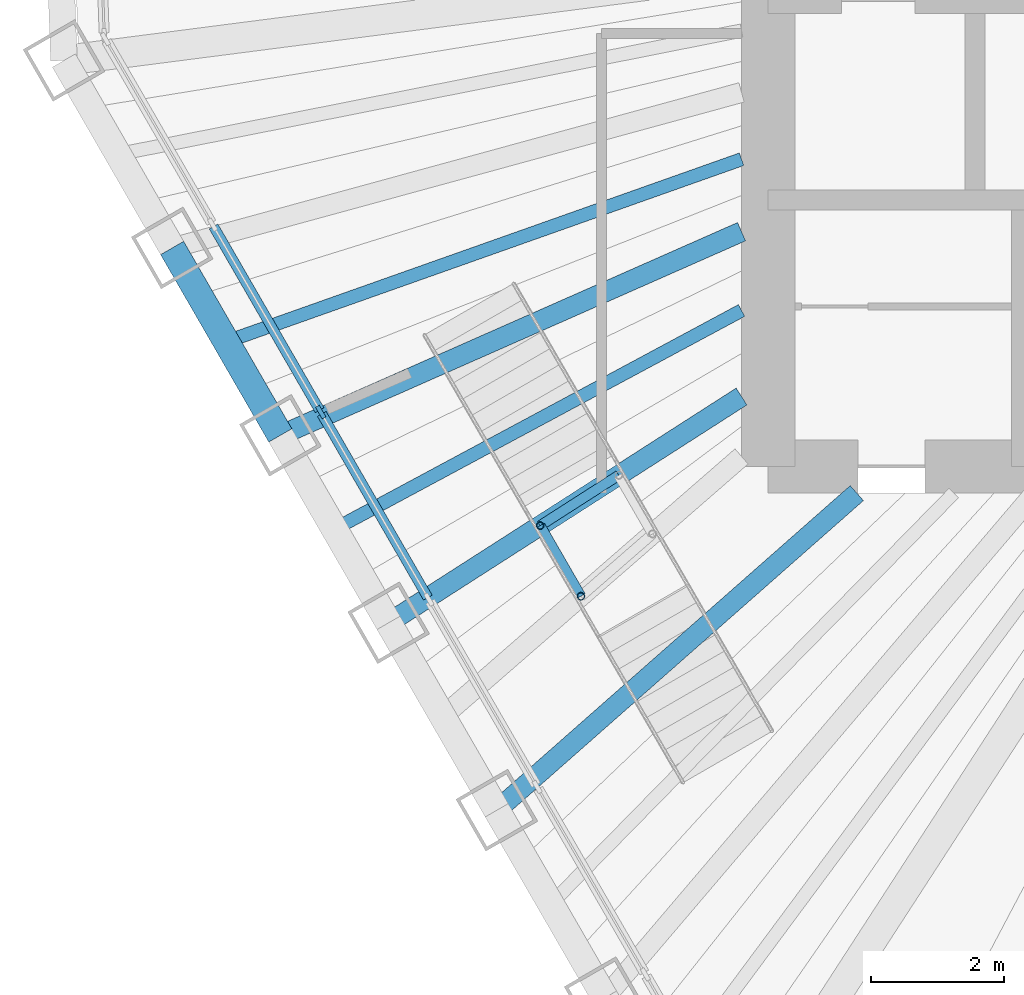
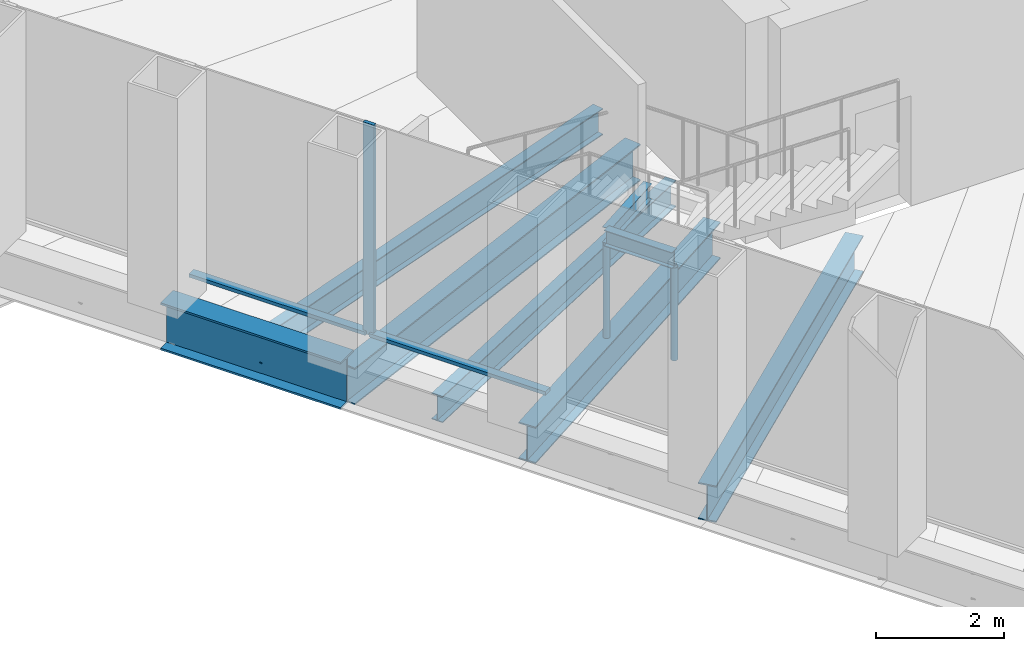
# One storey, part 3 of 17: 8 beams, 5 members, 1 element without a shape of its own.
"""IFC4 building model written with IfcOpenShell, lengths in metres."""

from ifc_helpers import new_model, si_unit, direction, frame, origin, origin_2d, place, context, subcontext, project, spatial, rectangle, hollow_circle, i_section, extrude, material, material_profile, profile_set, type_object, element, aggregate, save


model = new_model("IFC4")

# Units and contexts
model_context = context("Model", 3, precision=1e-05, world=origin(), true_north=direction((0.0, 1.0)))
body_context = subcontext(model_context, "Body", "Model", "MODEL_VIEW")
ifc_project = project(units=[si_unit("LENGTHUNIT", "METRE"), si_unit("AREAUNIT", "SQUARE_METRE"), si_unit("VOLUMEUNIT", "CUBIC_METRE"), si_unit("PLANEANGLEUNIT", "RADIAN"), si_unit("MASSUNIT", "GRAM", prefix="KILO")], contexts=[model_context])

# Site, building, storey
site_placement = place(None, origin())
site = spatial("IfcSite", under=ifc_project, at=site_placement, CompositionType="ELEMENT")
building_placement = place(site_placement, origin())
building = spatial("IfcBuilding", under=site, at=building_placement, Name="Qingtian Harvest Tower", CompositionType="ELEMENT")
storey_placement = place(building_placement, frame((0.0, 0.0, 329.199951171875)))
storey = spatial("IfcBuildingStorey", under=building, at=storey_placement, Name="L73", CompositionType="ELEMENT", Elevation=329.199951171875)

# Beams
ifc_material_1 = material(Name="Steel SN490B", Category="steel")
ifc_material_profile_1 = material_profile(ifc_material_1, i_section(OverallWidth=0.300048828125, OverallDepth=0.699951171875, WebThickness=0.012939453125, FlangeThickness=0.02392578125, at=origin_2d()), Name="H700x300x13x24")
ifc_profile_set_1 = profile_set([ifc_material_profile_1], Name="Steel SN490B")
beam_type_1 = type_object("IfcBeamType", Name="Floor beam FB4 H700x300x13x24", PredefinedType="BEAM", material=ifc_profile_set_1)
beam_1_placement = place(storey_placement, frame((-16.073486328125, -14.159912109375, -0.52001953125), z_axis=(0.750362998803, 0.661025997997, 0.0), x_axis=(-0.661025997997, 0.750362998803, 0.0)))
element("IfcBeam", 1, at=beam_1_placement, inside=storey, type_object=beam_type_1, Name="Floor beam FB4 SW2", PredefinedType="BEAM", context=body_context, shape_type="SweptSolid", body=[
    extrude(i_section(OverallWidth=0.300048828125, OverallDepth=0.699951171875, WebThickness=0.012939453125, FlangeThickness=0.02392578125, at=origin_2d()), origin(), (0.0, 0.0, 1.0), 7.200927734375),
])
beam_2_placement = place(storey_placement, frame((-17.697509765625, -11.34716796875, -0.52001953125), z_axis=(0.841819476537, 0.539759176785, 0.0), x_axis=(-0.539759176785, 0.841819476537, 0.0)))
element("IfcBeam", 2, at=beam_2_placement, inside=storey, type_object=beam_type_1, Name="Floor beam FB4 SW3", PredefinedType="BEAM", context=body_context, shape_type="SweptSolid", body=[
    extrude(i_section(OverallWidth=0.300048828125, OverallDepth=0.699951171875, WebThickness=0.012939453125, FlangeThickness=0.02392578125, at=origin_2d()), origin(), (0.0, 0.0, 1.0), 6.29296875),
])
beam_3_placement = place(storey_placement, frame((-19.321533203125, -8.5341796875, -0.52001953125), z_axis=(0.914748451897, 0.404023848, 0.0), x_axis=(-0.404023848, 0.914748451897, 0.0)))
element("IfcBeam", 3, at=beam_3_placement, inside=storey, type_object=beam_type_1, Name="Floor beam FB4 SW4", PredefinedType="BEAM", context=body_context, shape_type="SweptSolid", body=[
    extrude(i_section(OverallWidth=0.300048828125, OverallDepth=0.699951171875, WebThickness=0.012939453125, FlangeThickness=0.02392578125, at=origin_2d()), origin(), (0.0, 0.0, 1.0), 7.566650390625),
])
ifc_material_2 = material(Name="Steel SN490B", Category="steel")
ifc_material_profile_2 = material_profile(ifc_material_2, i_section(OverallWidth=0.199951171875, OverallDepth=0.5, WebThickness=0.010009765625, FlangeThickness=0.01611328125, at=origin_2d()), Name="H500x200x10x16")
ifc_profile_set_2 = profile_set([ifc_material_profile_2], Name="Steel SN490B")
beam_type_2 = type_object("IfcBeamType", Name="Floor joist J3 H500x200x10x16", PredefinedType="JOIST", material=ifc_profile_set_2)
beam_4_placement = place(storey_placement, frame((-18.509521484375, -9.940673828125, -0.419921875), z_axis=(0.880999592364, 0.473117023847, 0.0), x_axis=(-0.473117023847, 0.880999592364, 0.0)))
element("IfcBeam", 4, at=beam_4_placement, inside=storey, type_object=beam_type_2, Name="Floor joist J3 SW3", PredefinedType="JOIST", context=body_context, shape_type="SweptSolid", body=[
    extrude(i_section(OverallWidth=0.199951171875, OverallDepth=0.5, WebThickness=0.010009765625, FlangeThickness=0.01611328125, at=origin_2d()), origin(), (0.0, 0.0, 1.0), 6.934814453125),
])
beam_5_placement = place(storey_placement, frame((-20.133544921875, -7.1279296875, -0.419921875), z_axis=(0.942664093486, 0.333743025174, 0.0), x_axis=(-0.333743025174, 0.942664093486, 0.0)))
element("IfcBeam", 5, at=beam_5_placement, inside=storey, type_object=beam_type_2, Name="Floor joist J3 SW4", PredefinedType="JOIST", context=body_context, shape_type="SweptSolid", body=[
    extrude(i_section(OverallWidth=0.199951171875, OverallDepth=0.5, WebThickness=0.010009765625, FlangeThickness=0.01611328125, at=origin_2d()), origin(), (0.0, 0.0, 1.0), 8.2041015625),
])
ifc_material_3 = material(Name="Steel SN490B", Category="steel")
ifc_material_profile_3 = material_profile(ifc_material_3, i_section(OverallWidth=0.14990234375, OverallDepth=0.300048828125, WebThickness=0.006591796875, FlangeThickness=0.009033203125, at=origin_2d()), Name="H300x150x6.5x9")
ifc_profile_set_3 = profile_set([ifc_material_profile_3], Name="Steel SN490B")
beam_type_3 = type_object("IfcBeamType", Name="Landing beam LB1 H300x150x6.5x9", PredefinedType="BEAM", material=ifc_profile_set_3)
beam_6_placement = place(storey_placement, frame((-15.422607421875, -9.888671875, 1.75), z_axis=(0.841806083298, 0.539780064585, 0.0), x_axis=(-0.539780064585, 0.841806083298, 0.0)))
element("IfcBeam", 6, at=beam_6_placement, inside=storey, type_object=beam_type_3, Name="Landing beam LB1 FS6 1", PredefinedType="BEAM", context=body_context, shape_type="SweptSolid", body=[
    extrude(i_section(OverallWidth=0.14990234375, OverallDepth=0.300048828125, WebThickness=0.006591796875, FlangeThickness=0.009033203125, at=origin_2d()), origin(), (0.0, 0.0, 1.0), 1.401611328125),
])
beam_7_placement = place(storey_placement, frame((-15.422607421875, -9.888671875, 1.75), z_axis=(0.500044870432, -0.865999496279, 0.0), x_axis=(0.865999496279, 0.500044870432, 0.0)))
element("IfcBeam", 7, at=beam_7_placement, inside=storey, type_object=beam_type_3, Name="Landing beam LB1 FS6 3", PredefinedType="BEAM", context=body_context, shape_type="SweptSolid", body=[
    extrude(i_section(OverallWidth=0.14990234375, OverallDepth=0.300048828125, WebThickness=0.006591796875, FlangeThickness=0.009033203125, at=origin_2d()), origin(), (0.0, 0.0, 1.0), 1.2236328125),
])

# Members
ifc_material_4 = material(Name="Steel SN490B", Category="steel")
ifc_material_profile_4 = material_profile(ifc_material_4, hollow_circle(Radius=0.05712890625, WallThickness=0.00634765625, at=origin_2d()), Name="CHS114.3x6.3")
ifc_profile_set_4 = profile_set([ifc_material_profile_4], Name="Steel SN490B")
member_type_1 = type_object("IfcMemberType", Name="Landing post LP1 CHS114.3x6.3", PredefinedType="POST", material=ifc_profile_set_4)
for number, where, z_axis, x_axis, name in (
    (8, (-15.422607421875, -9.888671875, -0.169921875), (0.0, 0.0, 1.0), (1.0, 0.0, 0.0), "Landing post LP1 FS6 1"),
    (9, (-14.810791015625, -10.9482421875, -0.169921875), (0.0, 0.0, 1.0), (1.0, 0.0, 0.0), "Landing post LP1 FS6 3"),
):
    element("IfcMember", number, at=place(storey_placement, frame(where, z_axis=z_axis, x_axis=x_axis)), inside=storey, type_object=member_type_1, Name=name, PredefinedType="POST", context=body_context, shape_type="SweptSolid", body=[
        extrude(hollow_circle(Radius=0.05712890625, WallThickness=0.00634765625, at=origin_2d()), origin(), (0.0, 0.0, 1.0), 1.77001953125),
    ])

# Curtain wall, member
ifc_material_5 = material(Name="Bronze-anodised aluminium curtain wall", Category="aluminium")
curtain_wall_type = type_object("IfcCurtainWallType", Name="Curtain wall CW6 executive floors", PredefinedType="USERDEFINED", material=ifc_material_5)
curtain_wall_placement = place(storey_placement, origin())
curtain_wall = element("IfcCurtainWall", 10, at=curtain_wall_placement, inside=storey, type_object=curtain_wall_type, Name="Curtain wall CW6 L73 SW0-5", ObjectType="RECESSED CURTAIN WALL", PredefinedType="USERDEFINED")
ifc_material_6 = material(Name="Bronze-anodised aluminium mullion", Category="aluminium")
ifc_material_profile_5 = material_profile(ifc_material_6, rectangle(XDim=0.06494140625, YDim=0.199951171875, at=origin_2d()), Name="AL 65x200")
ifc_profile_set_5 = profile_set([ifc_material_profile_5], Name="Bronze-anodised aluminium mullion")
member_type_2 = type_object("IfcMemberType", Name="Mullion CWM 65x200", PredefinedType="MULLION", material=ifc_profile_set_5)
member_1_placement = place(storey_placement, frame((-18.71533203125, -8.184326171875, 0.0), z_axis=(0.0, 0.0, 1.0), x_axis=(-0.866025403784, -0.5, 0.0)))
member_1 = element("IfcMember", 11, at=member_1_placement, type_object=member_type_2, Name="CW6 mullion 5", PredefinedType="MULLION", context=body_context, shape_type="SweptSolid", body=[
    extrude(rectangle(XDim=0.06494140625, YDim=0.199951171875, at=origin_2d()), origin(), (0.0, 0.0, 1.0), 4.030029296875),
])

# Beam
ifc_material_7 = material(Name="Steel SN490B", Category="steel")
ifc_material_profile_6 = material_profile(ifc_material_7, i_section(OverallWidth=0.39990234375, OverallDepth=0.89990234375, WebThickness=0.01904296875, FlangeThickness=0.035888671875, at=origin_2d()), Name="H900x400x19x36")
ifc_profile_set_6 = profile_set([ifc_material_profile_6], Name="Steel SN490B")
beam_type_4 = type_object("IfcBeamType", Name="Spandrel beam SB4 H900x400x19x36", PredefinedType="SPANDREL", material=ifc_profile_set_6)
beam_8_placement = place(storey_placement, frame((-19.321533203125, -8.5341796875, -0.449951171875), z_axis=(-0.500019593356, 0.866014091259, 0.0), x_axis=(-0.866014091259, -0.500019593356, 0.0)))
element("IfcBeam", 12, at=beam_8_placement, inside=storey, type_object=beam_type_4, Name="Spandrel SB4 SW4", PredefinedType="SPANDREL", context=body_context, shape_type="SweptSolid", body=[
    extrude(i_section(OverallWidth=0.39990234375, OverallDepth=0.89990234375, WebThickness=0.01904296875, FlangeThickness=0.035888671875, at=origin_2d()), origin(), (0.0, 0.0, 1.0), 3.247802734375),
])

# Member
ifc_material_8 = material(Name="Bronze-anodised aluminium transom", Category="aluminium")
ifc_material_profile_7 = material_profile(ifc_material_8, rectangle(XDim=0.14990234375, YDim=0.06494140625, at=origin_2d()), Name="AL 65x150")
ifc_profile_set_7 = profile_set([ifc_material_profile_7], Name="Bronze-anodised aluminium transom")
member_type_3 = type_object("IfcMemberType", Name="Transom CWT 65x150", PredefinedType="USERDEFINED", material=ifc_profile_set_7)
member_2_placement = place(storey_placement, frame((-17.107421875, -10.968994140625, 0.032470703125), z_axis=(-0.5000079448, 0.866020816803, 0.0), x_axis=(-0.866020816803, -0.5000079448, 0.0)))
member_2 = element("IfcMember", 13, at=member_2_placement, type_object=member_type_3, Name="CW6 transom 4.1", ObjectType="TRANSOM", PredefinedType="USERDEFINED", context=body_context, shape_type="SweptSolid", body=[
    extrude(rectangle(XDim=0.14990234375, YDim=0.06494140625, at=origin_2d()), origin(), (0.0, 0.0, 1.0), 3.18310546875),
])

member_3_placement = place(storey_placement, frame((-18.7314453125, -8.156005859375, 0.032470703125), z_axis=(-0.5000079448, 0.866020816803, 0.0), x_axis=(-0.866020816803, -0.5000079448, 0.0)))
member_3 = element("IfcMember", 14, at=member_3_placement, type_object=member_type_3, Name="CW6 transom 5.1", ObjectType="TRANSOM", PredefinedType="USERDEFINED", context=body_context, shape_type="SweptSolid", body=[
    extrude(rectangle(XDim=0.14990234375, YDim=0.06494140625, at=origin_2d()), origin(), (0.0, 0.0, 1.0), 3.18310546875),
])

aggregate(curtain_wall, [member_1, member_2, member_3])

save(model, "model.ifc")
